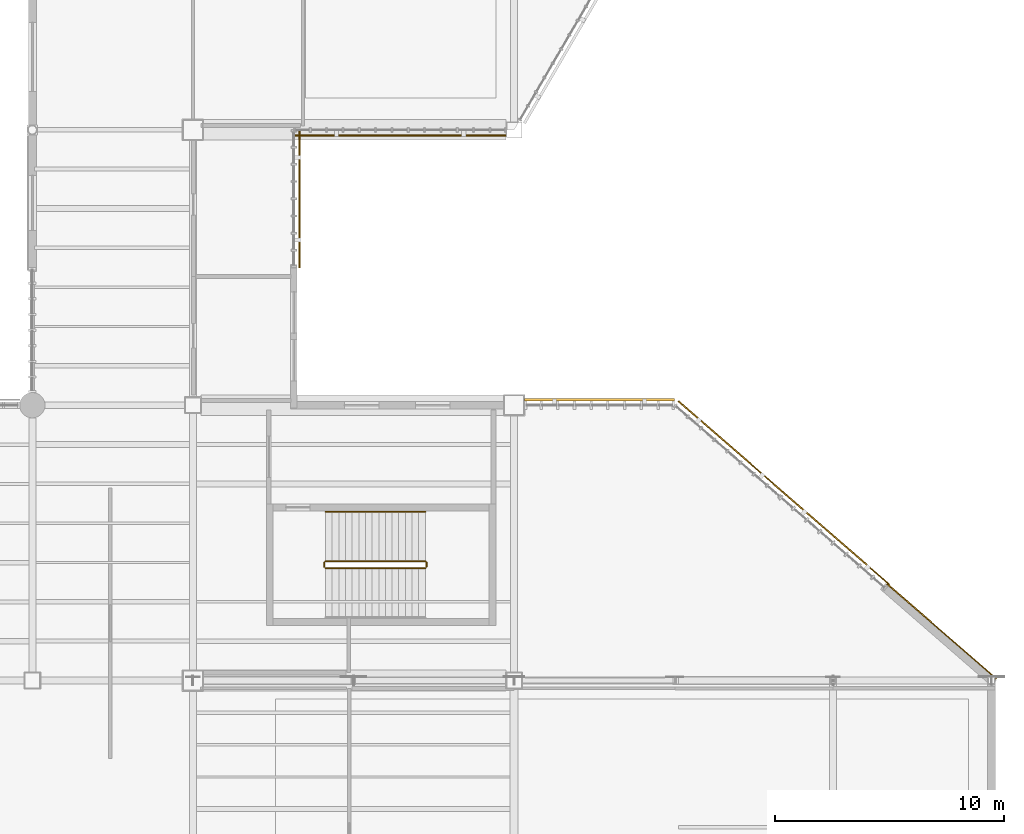
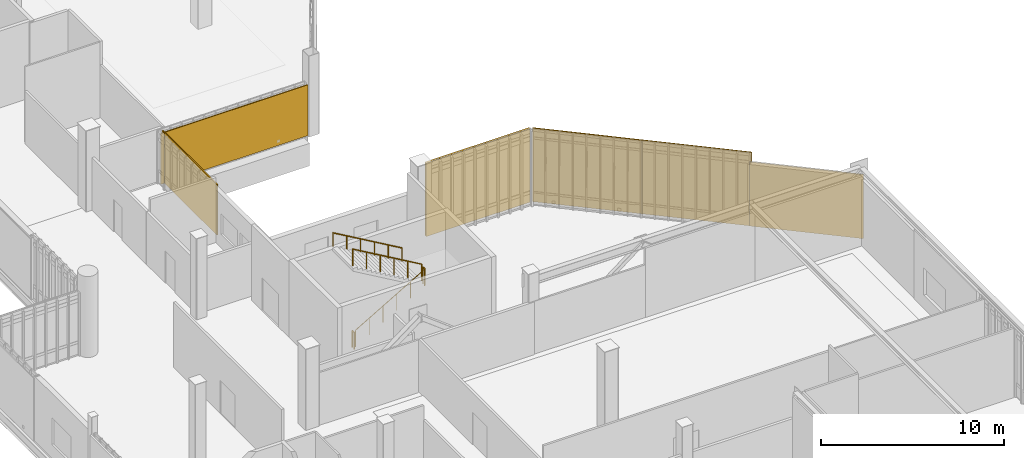
# One storey, part 134 of 135: 5 railings, 5 shading devices, 1 covering.
"""IFC4 building model written with IfcOpenShell, lengths in metres."""

from ifc_helpers import new_model, si_unit, direction, frame, origin, origin_2d, place, context, subcontext, project, spatial, rectangle, circle, extrude, material, layer, layer_set, type_object, element, save


model = new_model("IFC4")

# Units and contexts
model_context = context("Model", 3, precision=1e-05, world=origin(), true_north=direction((0.0, 1.0)))
body_context = subcontext(model_context, "Body", "Model", "MODEL_VIEW")
ifc_project = project(units=[si_unit("LENGTHUNIT", "METRE"), si_unit("AREAUNIT", "SQUARE_METRE"), si_unit("VOLUMEUNIT", "CUBIC_METRE"), si_unit("PLANEANGLEUNIT", "RADIAN"), si_unit("MASSUNIT", "GRAM", prefix="KILO")], contexts=[model_context])

# Site, building, storey
site_placement = place(None, origin())
site = spatial("IfcSite", under=ifc_project, at=site_placement, CompositionType="ELEMENT")
building_placement = place(site_placement, origin())
building = spatial("IfcBuilding", under=site, at=building_placement, Name="Larkvane Passage Sports Hall", CompositionType="ELEMENT")
storey_placement = place(building_placement, frame((0.0, 0.0, 16.800048828125)))
storey = spatial("IfcBuildingStorey", under=building, at=storey_placement, Name="L03", CompositionType="ELEMENT", Elevation=16.800048828125)

# Covering
ifc_material_1 = material(Name="Perforated anodised aluminium 5052-H32", Category="aluminium")
ifc_layer_1 = layer(ifc_material_1, 0.050048828125)
ifc_layer_set_1 = layer_set([ifc_layer_1], Name="Perforated anodised aluminium 5052-H32")
covering_type = type_object("IfcCoveringType", Name="COV-MESH-VEIL", PredefinedType="CLADDING", material=ifc_layer_set_1)
covering_placement = place(storey_placement, frame((164.2294921875, 41.7490234375, 0.074951171875), z_axis=(0.0, 0.0, 1.0), x_axis=(0.754605522159, -0.65617871493, 0.0)))
element("IfcCovering", 1, at=covering_placement, inside=storey, type_object=covering_type, Name="Perforated cladding cassette L03-168", PredefinedType="CLADDING", context=body_context, shape_type="SweptSolid", body=[
    extrude(rectangle(XDim=6.3271484375, YDim=0.050048828125, at=origin_2d()), origin(), (0.0, 0.0, 1.0), 4.27001953125),
])

# Railings
ifc_material_2 = material(Name="Steel S355JR", Category="steel")
railing_type_1 = type_object("IfcRailingType", Name="RL-GUARD-1120", PredefinedType="GUARDRAIL", material=ifc_material_2)
railing_1_placement = place(storey_placement, frame((137.3798828125, 44.5, 0.168701171875)))
element("IfcRailing", 2, at=railing_1_placement, inside=storey, type_object=railing_type_1, Name="L03 ST-07 stair guard 1", PredefinedType="GUARDRAIL", context=body_context, shape_type="SweptSolid", body=[
    extrude(circle(Radius=0.02392578125, at=origin_2d()), frame((0.001708984375, 0.0, 1.09716796875), z_axis=(0.864323800911, 0.0, 0.50293574856), x_axis=(0.0, 1.0, 0.0)), (0.0, 0.0, 1.0), 5.029052734375),
    extrude(circle(Radius=0.02099609375, at=origin_2d()), origin(), (0.0, 0.0, 1.0), 1.072021484375),
    extrude(circle(Radius=0.02099609375, at=origin_2d()), frame((0.8701171875, 0.0, 0.50634765625)), (0.0, 0.0, 1.0), 1.072021484375),
    extrude(circle(Radius=0.02099609375, at=origin_2d()), frame((1.739990234375, 0.0, 1.012451171875)), (0.0, 0.0, 1.0), 1.072021484375),
    extrude(circle(Radius=0.02099609375, at=origin_2d()), frame((2.610107421875, 0.0, 1.518798828125)), (0.0, 0.0, 1.0), 1.072021484375),
    extrude(circle(Radius=0.02099609375, at=origin_2d()), frame((3.47998046875, 0.0, 2.02490234375)), (0.0, 0.0, 1.0), 1.072021484375),
    extrude(circle(Radius=0.02099609375, at=origin_2d()), frame((4.35009765625, 0.0, 2.53125)), (0.0, 0.0, 1.0), 1.072021484375),
])
railing_2_placement = place(storey_placement, frame((141.780029296875, 44.550048828125, 2.699951171875)))
element("IfcRailing", 3, at=railing_2_placement, inside=storey, type_object=railing_type_1, Name="L03 ST-07 stair guard 2", PredefinedType="GUARDRAIL", context=body_context, shape_type="SweptSolid", body=[
    extrude(circle(Radius=0.02392578125, at=origin_2d()), frame((0.0, 0.001953125, 1.09619140625), z_axis=(0.0, 1.0, 0.0), x_axis=(-1.0, 0.0, 0.0)), (0.0, 0.0, 1.0), 0.196044921875),
    extrude(circle(Radius=0.02099609375, at=origin_2d()), origin(), (0.0, 0.0, 1.0), 1.072021484375),
    extrude(circle(Radius=0.02099609375, at=origin_2d()), frame((0.0, 0.199951171875, 0.0)), (0.0, 0.0, 1.0), 1.072021484375),
])
railing_3_placement = place(storey_placement, frame((141.72998046875, 44.800048828125, 2.86865234375)))
element("IfcRailing", 4, at=railing_3_placement, inside=storey, type_object=railing_type_1, Name="L03 ST-07 stair guard 3", PredefinedType="GUARDRAIL", context=body_context, shape_type="SweptSolid", body=[
    extrude(circle(Radius=0.02392578125, at=origin_2d()), frame((-0.001708984375, 0.0, 1.09716796875), z_axis=(-0.864323800911, 0.0, 0.50293574856), x_axis=(0.0, -1.0, 0.0)), (0.0, 0.0, 1.0), 5.029052734375),
    extrude(circle(Radius=0.02099609375, at=origin_2d()), origin(), (0.0, 0.0, 1.0), 1.072021484375),
    extrude(circle(Radius=0.02099609375, at=origin_2d()), frame((-0.8701171875, 0.0, 0.50634765625)), (0.0, 0.0, 1.0), 1.072021484375),
    extrude(circle(Radius=0.02099609375, at=origin_2d()), frame((-1.739990234375, 0.0, 1.012451171875)), (0.0, 0.0, 1.0), 1.072021484375),
    extrude(circle(Radius=0.02099609375, at=origin_2d()), frame((-2.610107421875, 0.0, 1.518798828125)), (0.0, 0.0, 1.0), 1.072021484375),
    extrude(circle(Radius=0.02099609375, at=origin_2d()), frame((-3.47998046875, 0.0, 2.02490234375)), (0.0, 0.0, 1.0), 1.072021484375),
    extrude(circle(Radius=0.02099609375, at=origin_2d()), frame((-4.35009765625, 0.0, 2.53125)), (0.0, 0.0, 1.0), 1.072021484375),
])
railing_4_placement = place(storey_placement, frame((137.330078125, 44.550048828125, 0.0)))
element("IfcRailing", 5, at=railing_4_placement, inside=storey, type_object=railing_type_1, Name="L03 ST-07 stair guard 4", PredefinedType="GUARDRAIL", context=body_context, shape_type="SweptSolid", body=[
    extrude(circle(Radius=0.02392578125, at=origin_2d()), frame((0.0, 0.001953125, 1.09619140625), z_axis=(0.0, 1.0, 0.0), x_axis=(-1.0, 0.0, 0.0)), (0.0, 0.0, 1.0), 0.196044921875),
    extrude(circle(Radius=0.02099609375, at=origin_2d()), origin(), (0.0, 0.0, 1.0), 1.072021484375),
    extrude(circle(Radius=0.02099609375, at=origin_2d()), frame((0.0, 0.199951171875, 0.0)), (0.0, 0.0, 1.0), 1.072021484375),
])
ifc_material_3 = material(Name="Stainless steel S355JR", Category="steel")
railing_type_2 = type_object("IfcRailingType", Name="RL-HAND-920", PredefinedType="HANDRAIL", material=ifc_material_3)
railing_5_placement = place(storey_placement, frame((141.72998046875, 46.949951171875, 2.86865234375)))
element("IfcRailing", 6, at=railing_5_placement, inside=storey, type_object=railing_type_2, Name="L03 ST-07 stair handrail 2", PredefinedType="HANDRAIL", context=body_context, shape_type="SweptSolid", body=[
    extrude(circle(Radius=0.02392578125, at=origin_2d()), frame((-0.001708984375, 0.0, 0.876953125), z_axis=(-0.864323800911, 0.0, 0.50293574856), x_axis=(0.0, -1.0, 0.0)), (0.0, 0.0, 1.0), 5.029052734375),
    extrude(circle(Radius=0.02099609375, at=origin_2d()), origin(), (0.0, 0.0, 1.0), 0.851806640625),
    extrude(circle(Radius=0.02099609375, at=origin_2d()), frame((-0.8701171875, 0.0, 0.50634765625)), (0.0, 0.0, 1.0), 0.851806640625),
    extrude(circle(Radius=0.02099609375, at=origin_2d()), frame((-1.739990234375, 0.0, 1.012451171875)), (0.0, 0.0, 1.0), 0.851806640625),
    extrude(circle(Radius=0.02099609375, at=origin_2d()), frame((-2.610107421875, 0.0, 1.518798828125)), (0.0, 0.0, 1.0), 0.851806640625),
    extrude(circle(Radius=0.02099609375, at=origin_2d()), frame((-3.47998046875, 0.0, 2.02490234375)), (0.0, 0.0, 1.0), 0.851806640625),
    extrude(circle(Radius=0.02099609375, at=origin_2d()), frame((-4.35009765625, 0.0, 2.53125)), (0.0, 0.0, 1.0), 0.851806640625),
])

# Shading devices
ifc_material_4 = material(Name="Extruded aluminium 6063-T6", Category="aluminium")
ifc_layer_2 = layer(ifc_material_4, 0.1201171875)
ifc_layer_set_2 = layer_set([ifc_layer_2], Name="Extruded aluminium 6063-T6")
shading_device_type_1 = type_object("IfcShadingDeviceType", Name="SHD-LOUVRE-STORM", PredefinedType="JALOUSIE", material=ifc_layer_set_2)
shading_device_1_placement = place(storey_placement, frame((149.322998046875, 51.840087890625, 0.06005859375), z_axis=(0.0, 0.0, 1.0), x_axis=(1.0, 0.0, 0.0)))
element("IfcShadingDevice", 7, at=shading_device_1_placement, inside=storey, type_object=shading_device_type_1, Name="Solar veil screen L03-078", PredefinedType="JALOUSIE", context=body_context, shape_type="SweptSolid", body=[
    extrude(rectangle(XDim=6.553955078125, YDim=0.1201171875, at=origin_2d()), origin(), (0.0, 0.0, 1.0), 4.909912109375),
])
ifc_layer_3 = layer(ifc_material_1, 0.06005859375)
ifc_layer_set_3 = layer_set([ifc_layer_3], Name="Perforated anodised aluminium 5052-H32")
shading_device_type_2 = type_object("IfcShadingDeviceType", Name="SHD-VEIL-PERF", PredefinedType="SHUTTER", material=ifc_layer_set_3)
shading_device_2_placement = place(storey_placement, frame((140.626953125, 63.360107421875, 0.06005859375), z_axis=(0.0, 0.0, 1.0), x_axis=(-1.0, 0.0, 0.0)))
element("IfcShadingDevice", 8, at=shading_device_2_placement, inside=storey, type_object=shading_device_type_2, Name="Solar veil screen L03-076", PredefinedType="SHUTTER", context=body_context, shape_type="SweptSolid", body=[
    extrude(rectangle(XDim=9.25390625, YDim=0.06005859375, at=origin_2d()), origin(), (0.0, 0.0, 1.0), 3.387939453125),
])
shading_device_3_placement = place(storey_placement, frame((136.239990234375, 60.60009765625, 0.06005859375), z_axis=(0.0, 0.0, 1.0), x_axis=(0.0, -1.0, 0.0)))
element("IfcShadingDevice", 9, at=shading_device_3_placement, inside=storey, type_object=shading_device_type_2, Name="Solar veil screen L03-077", PredefinedType="SHUTTER", context=body_context, shape_type="SweptSolid", body=[
    extrude(rectangle(XDim=6.0, YDim=0.06005859375, at=origin_2d()), origin(), (0.0, 0.0, 1.0), 3.387939453125),
])
for number, where, z_axis, x_axis, name in (
    (10, (155.057373046875, 49.781005859375, 0.06005859375), (0.0, 0.0, 1.0), (0.754605522159, -0.65617871493, 0.0), "Solar veil screen L03-079"),
    (11, (159.657470703125, 45.781005859375, 0.06005859375), (0.0, 0.0, 1.0), (0.754605522159, -0.65617871493, 0.0), "Solar veil screen L03-080"),
):
    element("IfcShadingDevice", number, at=place(storey_placement, frame(where, z_axis=z_axis, x_axis=x_axis)), inside=storey, type_object=shading_device_type_2, Name=name, PredefinedType="SHUTTER", context=body_context, shape_type="SweptSolid", body=[
        extrude(rectangle(XDim=6.095947265625, YDim=0.06005859375, at=origin_2d()), origin(), (0.0, 0.0, 1.0), 4.909912109375),
    ])

save(model, "model.ifc")
